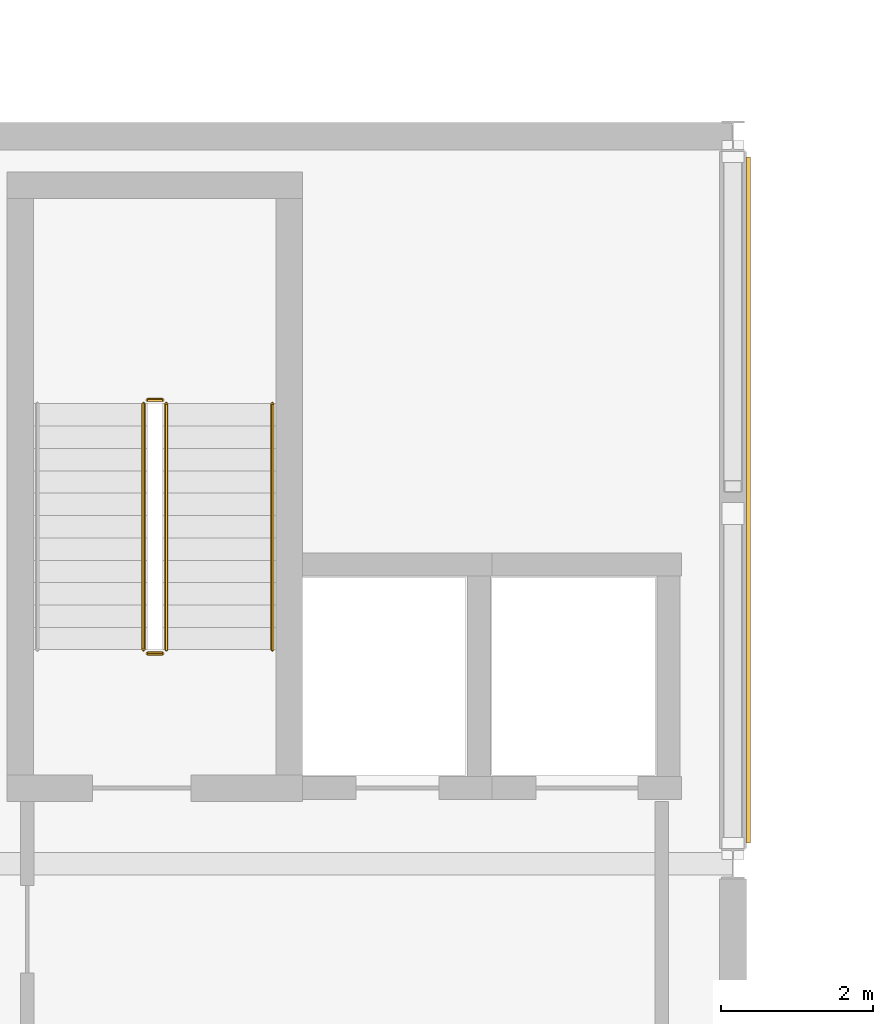
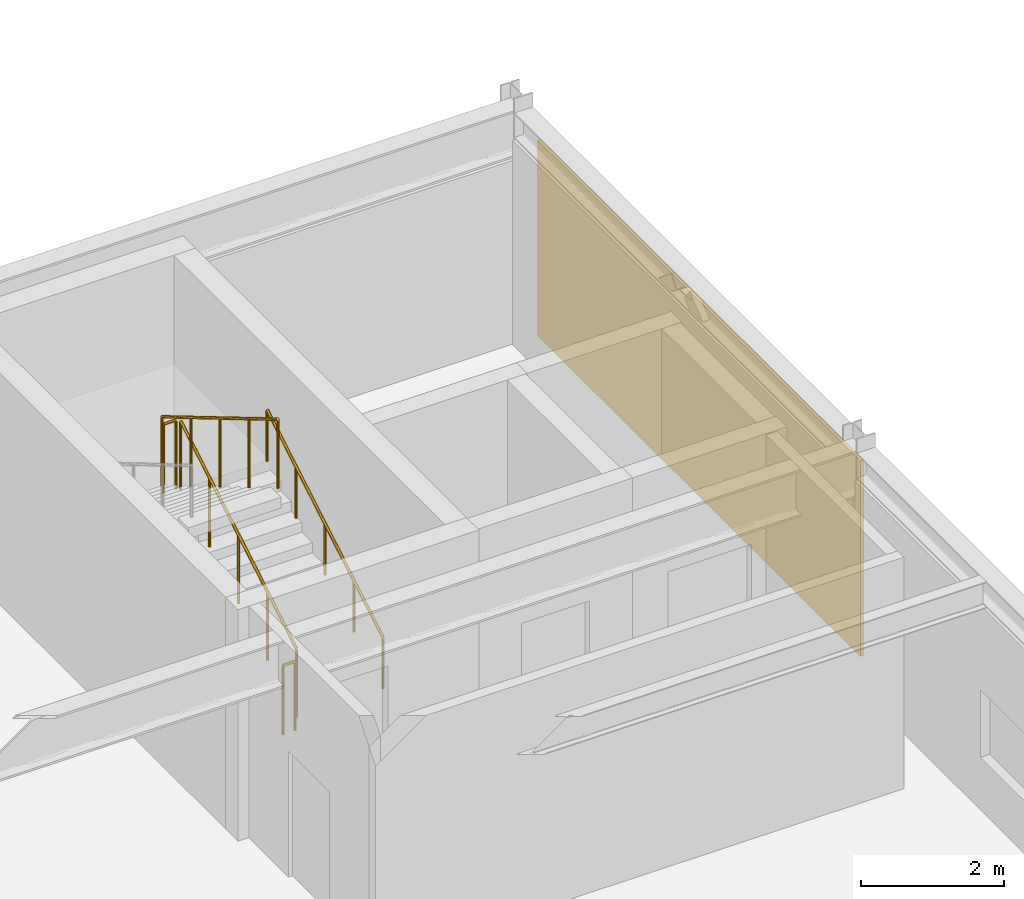
# One storey, part 97 of 99: 5 railings, 1 covering.
"""IFC4 building model written with IfcOpenShell, lengths in metres."""

from ifc_helpers import new_model, si_unit, direction, frame, origin, origin_2d, place, context, subcontext, project, spatial, rectangle, circle, extrude, material, layer, layer_set, type_object, element, save


model = new_model("IFC4")

# Units and contexts
model_context = context("Model", 3, precision=1e-05, world=origin(), true_north=direction((0.0, 1.0)))
body_context = subcontext(model_context, "Body", "Model", "MODEL_VIEW")
ifc_project = project(units=[si_unit("LENGTHUNIT", "METRE"), si_unit("AREAUNIT", "SQUARE_METRE"), si_unit("VOLUMEUNIT", "CUBIC_METRE"), si_unit("PLANEANGLEUNIT", "RADIAN"), si_unit("MASSUNIT", "GRAM", prefix="KILO")], contexts=[model_context])

# Site, building, storey
site_placement = place(None, origin())
site = spatial("IfcSite", under=ifc_project, at=site_placement, CompositionType="ELEMENT")
building_placement = place(site_placement, origin())
building = spatial("IfcBuilding", under=site, at=building_placement, Name="Nordkorset Police Headquarters", CompositionType="ELEMENT")
storey_placement = place(building_placement, frame((0.0, 0.0, 5.25)))
storey = spatial("IfcBuildingStorey", under=building, at=storey_placement, Name="L01", CompositionType="ELEMENT", Elevation=5.25)

# Covering
ifc_material_1 = material(Name="Nordic granite cladding", Category="masonry")
ifc_layer_1 = layer(ifc_material_1, 0.050048828125, Name="Nordic granite cladding")
ifc_layer_set_1 = layer_set([ifc_layer_1], Name="Nordic granite cladding")
covering_type = type_object("IfcCoveringType", Name="Cladding_Nordic_Granite", PredefinedType="CLADDING", material=ifc_layer_set_1)
covering_placement = place(storey_placement, frame((115.405029296875, 92.800048828125, 0.074951171875), z_axis=(0.0, 0.0, 1.0), x_axis=(0.0, 1.0, 0.0)))
element("IfcCovering", 1, at=covering_placement, inside=storey, type_object=covering_type, Name="Nordic Granite Rainscreen Cladding L01 V5E-4", PredefinedType="CLADDING", context=body_context, shape_type="SweptSolid", body=[
    extrude(rectangle(XDim=9.0458984375, YDim=0.050048828125, at=origin_2d()), origin(), (0.0, 0.0, 1.0), 3.35009765625),
])

# Railings
ifc_material_2 = material(Name="Steel S355J2", Category="steel")
ifc_layer_2 = layer(ifc_material_2, 0.048095703125, Name="Steel S355J2")
ifc_layer_set_2 = layer_set([ifc_layer_2], Name="Steel S355J2")
railing_type_1 = type_object("IfcRailingType", Name="Railing_Handrail_900", PredefinedType="HANDRAIL", material=ifc_layer_set_2)
railing_1_placement = place(storey_placement, frame((109.125, 90.824951171875, 0.175048828125)))
element("IfcRailing", 2, at=railing_1_placement, inside=storey, type_object=railing_type_1, Name="L01 ST-05 stair handrail 1", PredefinedType="HANDRAIL", context=body_context, shape_type="SweptSolid", body=[
    extrude(circle(Radius=0.02392578125, at=origin_2d()), frame((0.0, 0.0, 0.8759765625), z_axis=(0.0, 0.860057060016, 0.510197857224), x_axis=(-1.0, 0.0, 0.0)), (0.0, 0.0, 1.0), 3.773193359375),
    extrude(circle(Radius=0.02099609375, at=origin_2d()), origin(), (0.0, 0.0, 1.0), 0.851806640625),
    extrude(circle(Radius=0.02099609375, at=origin_2d()), frame((0.0, 0.811279296875, 0.481201171875)), (0.0, 0.0, 1.0), 0.851806640625),
    extrude(circle(Radius=0.02099609375, at=origin_2d()), frame((0.0, 1.62255859375, 0.96240234375)), (0.0, 0.0, 1.0), 0.851806640625),
    extrude(circle(Radius=0.02099609375, at=origin_2d()), frame((0.0, 2.433837890625, 1.44384765625)), (0.0, 0.0, 1.0), 0.851806640625),
    extrude(circle(Radius=0.02099609375, at=origin_2d()), frame((0.0, 3.2451171875, 1.925048828125)), (0.0, 0.0, 1.0), 0.851806640625),
])
ifc_material_3 = material(Name="Steel S355J2", Category="steel")
ifc_layer_3 = layer(ifc_material_3, 0.050048828125, Name="Steel S355J2")
ifc_layer_set_3 = layer_set([ifc_layer_3], Name="Steel S355J2")
railing_type_2 = type_object("IfcRailingType", Name="Railing_StairGuard_1200", PredefinedType="GUARDRAIL", material=ifc_layer_set_3)
railing_2_placement = place(storey_placement, frame((107.72509765625, 90.824951171875, 0.175048828125)))
element("IfcRailing", 3, at=railing_2_placement, inside=storey, type_object=railing_type_2, Name="L01 ST-05 stair guard 1", PredefinedType="GUARDRAIL", context=body_context, shape_type="SweptSolid", body=[
    extrude(circle(Radius=0.02392578125, at=origin_2d()), frame((0.0, 0.0, 1.17578125), z_axis=(0.0, 0.860057060016, 0.510197857224), x_axis=(-1.0, 0.0, 0.0)), (0.0, 0.0, 1.0), 3.773193359375),
    extrude(circle(Radius=0.02099609375, at=origin_2d()), origin(), (0.0, 0.0, 1.0), 1.15185546875),
    extrude(circle(Radius=0.02099609375, at=origin_2d()), frame((0.0, 0.811279296875, 0.481201171875)), (0.0, 0.0, 1.0), 1.15185546875),
    extrude(circle(Radius=0.02099609375, at=origin_2d()), frame((0.0, 1.62255859375, 0.96240234375)), (0.0, 0.0, 1.0), 1.15185546875),
    extrude(circle(Radius=0.02099609375, at=origin_2d()), frame((0.0, 2.433837890625, 1.44384765625)), (0.0, 0.0, 1.0), 1.15185546875),
    extrude(circle(Radius=0.02099609375, at=origin_2d()), frame((0.0, 3.2451171875, 1.925048828125)), (0.0, 0.0, 1.0), 1.15185546875),
])
railing_3_placement = place(storey_placement, frame((107.675048828125, 94.1201171875, 2.10009765625)))
element("IfcRailing", 4, at=railing_3_placement, inside=storey, type_object=railing_type_2, Name="L01 ST-05 stair guard 2", PredefinedType="GUARDRAIL", context=body_context, shape_type="SweptSolid", body=[
    extrude(circle(Radius=0.02392578125, at=origin_2d()), frame((0.0, 0.0, 1.17578125), z_axis=(-1.0, 0.0, 0.0), x_axis=(0.0, -1.0, 0.0)), (0.0, 0.0, 1.0), 0.199951171875),
    extrude(circle(Radius=0.02099609375, at=origin_2d()), origin(), (0.0, 0.0, 1.0), 1.15185546875),
    extrude(circle(Radius=0.02099609375, at=origin_2d()), frame((-0.199951171875, 0.0, 0.0)), (0.0, 0.0, 1.0), 1.15185546875),
])
railing_4_placement = place(storey_placement, frame((107.425048828125, 94.070068359375, 2.27490234375)))
element("IfcRailing", 5, at=railing_4_placement, inside=storey, type_object=railing_type_2, Name="L01 ST-05 stair guard 3", PredefinedType="GUARDRAIL", context=body_context, shape_type="SweptSolid", body=[
    extrude(circle(Radius=0.02392578125, at=origin_2d()), frame((0.0, 0.0, 1.17578125), z_axis=(0.0, -0.860057060016, 0.510197857224), x_axis=(1.0, 0.0, 0.0)), (0.0, 0.0, 1.0), 3.773193359375),
    extrude(circle(Radius=0.02099609375, at=origin_2d()), origin(), (0.0, 0.0, 1.0), 1.15185546875),
    extrude(circle(Radius=0.02099609375, at=origin_2d()), frame((0.0, -0.811279296875, 0.481201171875)), (0.0, 0.0, 1.0), 1.15185546875),
    extrude(circle(Radius=0.02099609375, at=origin_2d()), frame((0.0, -1.62255859375, 0.96240234375)), (0.0, 0.0, 1.0), 1.15185546875),
    extrude(circle(Radius=0.02099609375, at=origin_2d()), frame((0.0, -2.433837890625, 1.44384765625)), (0.0, 0.0, 1.0), 1.15185546875),
    extrude(circle(Radius=0.02099609375, at=origin_2d()), frame((0.0, -3.2451171875, 1.925048828125)), (0.0, 0.0, 1.0), 1.15185546875),
])
railing_5_placement = place(storey_placement, frame((107.675048828125, 90.77490234375, 0.0)))
element("IfcRailing", 6, at=railing_5_placement, inside=storey, type_object=railing_type_2, Name="L01 ST-05 stair guard 4", PredefinedType="GUARDRAIL", context=body_context, shape_type="SweptSolid", body=[
    extrude(circle(Radius=0.02392578125, at=origin_2d()), frame((0.0, 0.0, 1.17578125), z_axis=(-1.0, 0.0, 0.0), x_axis=(0.0, -1.0, 0.0)), (0.0, 0.0, 1.0), 0.199951171875),
    extrude(circle(Radius=0.02099609375, at=origin_2d()), origin(), (0.0, 0.0, 1.0), 1.15185546875),
    extrude(circle(Radius=0.02099609375, at=origin_2d()), frame((-0.199951171875, 0.0, 0.0)), (0.0, 0.0, 1.0), 1.15185546875),
])

save(model, "model.ifc")
